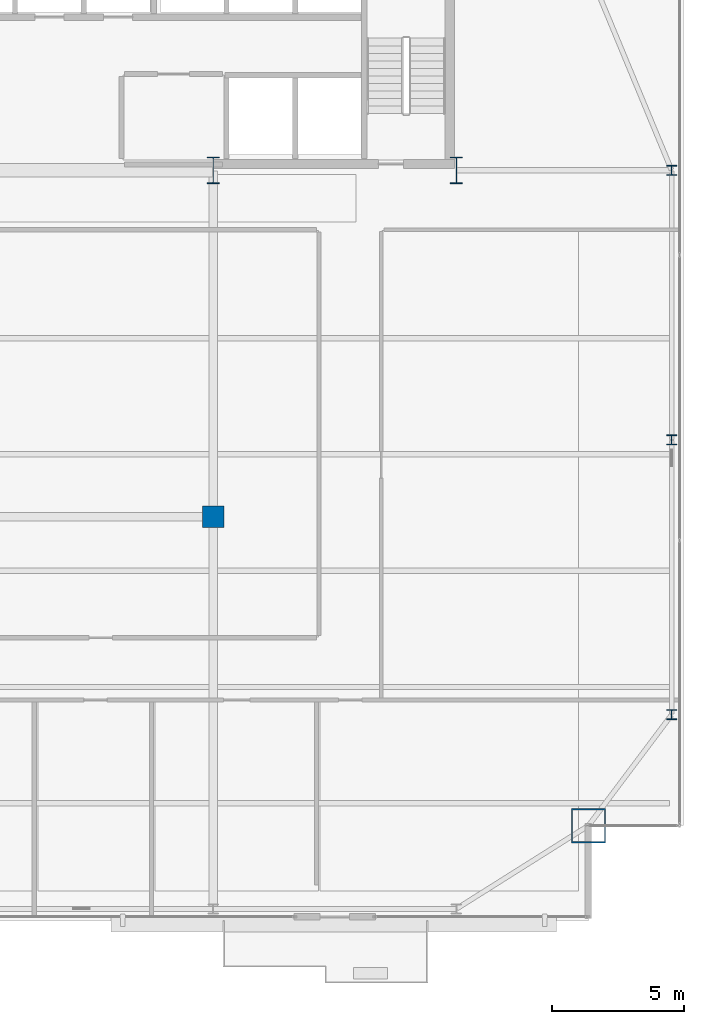
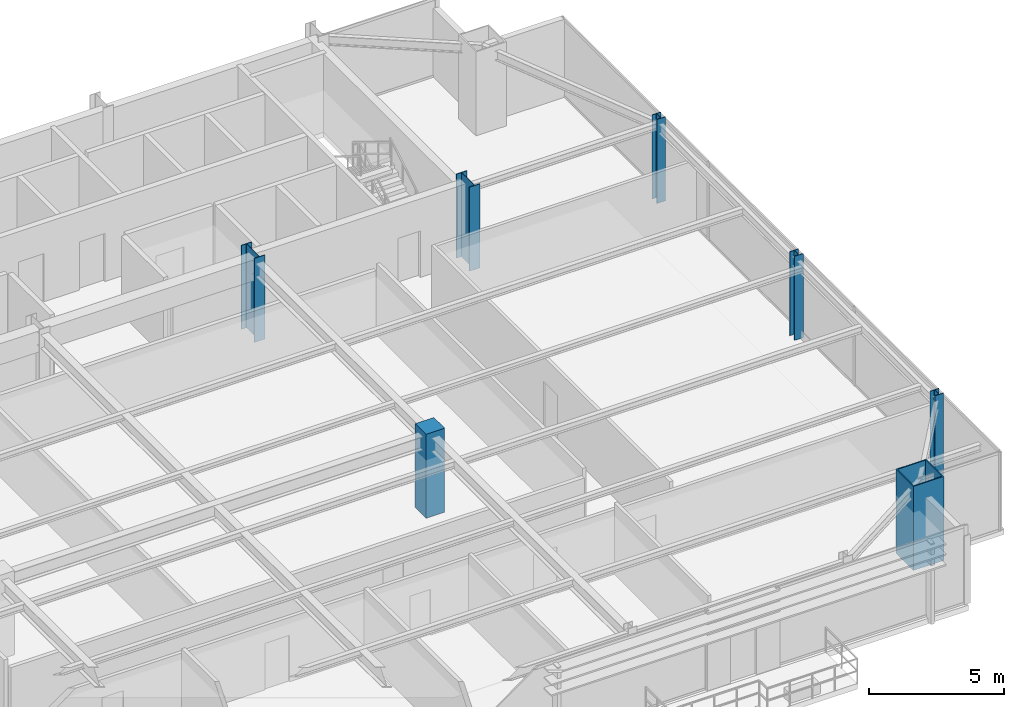
# One storey, part 2 of 30: 7 columns.
"""IFC4 building model written with IfcOpenShell, lengths in metres."""

from ifc_helpers import new_model, si_unit, direction, frame, origin, origin_2d, place, context, subcontext, project, spatial, rectangle, hollow_rectangle, i_section, extrude, source, transform, mapped, material, material_profile, profile_set, type_object, type_shapes, element, save


model = new_model("IFC4")

# Units and contexts
model_context = context("Model", 3, precision=1e-05, world=origin(), true_north=direction((0.0, 1.0)))
body_context = subcontext(model_context, "Body", "Model", "MODEL_VIEW")
ifc_project = project(units=[si_unit("LENGTHUNIT", "METRE"), si_unit("AREAUNIT", "SQUARE_METRE"), si_unit("VOLUMEUNIT", "CUBIC_METRE"), si_unit("PLANEANGLEUNIT", "RADIAN"), si_unit("MASSUNIT", "GRAM", prefix="KILO")], contexts=[model_context])

# Site, building, storey
site_placement = place(None, origin())
site = spatial("IfcSite", under=ifc_project, at=site_placement, CompositionType="ELEMENT")
building_placement = place(site_placement, origin())
building = spatial("IfcBuilding", under=site, at=building_placement, Name="Varnel Quay Broadcast Tower", CompositionType="ELEMENT")
storey_placement = place(building_placement, frame((0.0, 0.0, 168.60009765625)))
storey = spatial("IfcBuildingStorey", under=building, at=storey_placement, Name="L41", CompositionType="ELEMENT", Elevation=168.60009765625)

# Columns
ifc_material_1 = material(Name="Structural Steel CSA G40.21 350WT", Category="steel")
ifc_material_profile_1 = material_profile(ifc_material_1, i_section(OverallWidth=0.449951171875, OverallDepth=1.0, WebThickness=0.01611328125, FlangeThickness=0.030029296875, FilletRadius=0.01611328125, at=origin_2d()), Name="WWF1000X362")
ifc_profile_set_1 = profile_set([ifc_material_profile_1], Name="Structural Steel CSA G40.21 350WT")
column_type_1 = type_object("IfcColumnType", Name="Col_WWF1000X362", PredefinedType="COLUMN", material=ifc_profile_set_1)
shared_shape_1 = source(origin(), body_context, "Body", "SweptSolid", [
    extrude(i_section(OverallWidth=0.449951171875, OverallDepth=1.0, WebThickness=0.01611328125, FlangeThickness=0.030029296875, FilletRadius=0.01611328125, at=origin_2d()), origin(), (0.0, 0.0, 1.0), 3.7998046875),
])
type_shapes(column_type_1, [shared_shape_1])
for number, where, z_axis, x_axis, name in (
    (1, (43.199951171875, 35.60009765625, 0.0), (0.0, 0.0, 1.0), (1.0, 0.0, 0.0), "L41 Column CC-S4"),
    (2, (52.39990234375, 35.60009765625, 0.0), (0.0, 0.0, 1.0), (1.0, 0.0, 0.0), "L41 Column CC-S5"),
):
    element("IfcColumn", number, at=place(storey_placement, frame(where, z_axis=z_axis, x_axis=x_axis)), inside=storey, type_object=column_type_1, Name=name, PredefinedType="COLUMN", context=body_context, shape_type="MappedRepresentation", body=[
        mapped(shared_shape_1, transform((0.0, 0.0, 0.0), x_axis=(1.0, 0.0, 0.0), y_axis=(0.0, 1.0, 0.0), z_axis=(0.0, 0.0, 1.0), scale=1.0)),
    ])
ifc_material_profile_2 = material_profile(ifc_material_1, hollow_rectangle(XDim=1.300048828125, YDim=1.300048828125, WallThickness=0.050048828125, at=origin_2d()), Name="BOX1300X1300X50")
ifc_profile_set_2 = profile_set([ifc_material_profile_2], Name="Structural Steel CSA G40.21 350WT")
column_type_2 = type_object("IfcColumnType", Name="Col_BOX1300X1300X50", PredefinedType="COLUMN", material=ifc_profile_set_2)
shared_shape_2 = source(origin(), body_context, "Body", "SweptSolid", [
    extrude(hollow_rectangle(XDim=1.300048828125, YDim=1.300048828125, WallThickness=0.050048828125, at=origin_2d()), origin(), (0.0, 0.0, 1.0), 3.7998046875),
])
type_shapes(column_type_2, [shared_shape_2])
column_1_placement = place(storey_placement, frame((57.39990234375, 10.800048828125, 0.0), z_axis=(0.0, 0.0, 1.0), x_axis=(1.0, 0.0, 0.0)))
element("IfcColumn", 3, at=column_1_placement, inside=storey, type_object=column_type_2, Name="L41 Column MC-SE", PredefinedType="COLUMN", context=body_context, shape_type="MappedRepresentation", body=[
    mapped(shared_shape_2, transform((0.0, 0.0, 0.0), x_axis=(1.0, 0.0, 0.0), y_axis=(0.0, 1.0, 0.0), z_axis=(0.0, 0.0, 1.0), scale=1.0)),
])
ifc_material_2 = material(Name="Structural Steel CSA G40.21 350W", Category="steel")
ifc_material_profile_3 = material_profile(ifc_material_2, i_section(OverallWidth=0.3740234375, OverallDepth=0.3720703125, WebThickness=0.016357421875, FlangeThickness=0.026123046875, FilletRadius=0.01611328125, at=origin_2d()), Name="W360X196")
ifc_profile_set_3 = profile_set([ifc_material_profile_3], Name="Structural Steel CSA G40.21 350W")
column_type_3 = type_object("IfcColumnType", Name="Col_W360X196", PredefinedType="COLUMN", material=ifc_profile_set_3)
shared_shape_3 = source(origin(), body_context, "Body", "SweptSolid", [
    extrude(i_section(OverallWidth=0.3740234375, OverallDepth=0.3720703125, WebThickness=0.016357421875, FlangeThickness=0.026123046875, FilletRadius=0.01611328125, at=origin_2d()), origin(), (0.0, 0.0, 1.0), 3.7998046875),
])
type_shapes(column_type_3, [shared_shape_3])
for number, where, z_axis, x_axis, name in (
    (4, (60.550048828125, 15.0, 0.0), (0.0, 0.0, 1.0), (1.0, 0.0, 0.0), "L41 Column TC-E1"),
    (5, (60.550048828125, 25.39990234375, 0.0), (0.0, 0.0, 1.0), (1.0, 0.0, 0.0), "L41 Column TC-E2"),
    (6, (60.550048828125, 35.60009765625, 0.0), (0.0, 0.0, 1.0), (1.0, 0.0, 0.0), "L41 Column TC-E3"),
):
    element("IfcColumn", number, at=place(storey_placement, frame(where, z_axis=z_axis, x_axis=x_axis)), inside=storey, type_object=column_type_3, Name=name, PredefinedType="COLUMN", context=body_context, shape_type="MappedRepresentation", body=[
        mapped(shared_shape_3, transform((0.0, 0.0, 0.0), x_axis=(1.0, 0.0, 0.0), y_axis=(0.0, 1.0, 0.0), z_axis=(0.0, 0.0, 1.0), scale=1.0)),
    ])
ifc_material_3 = material(Name="Concrete CSA A23.3 C50/60", Category="concrete")
ifc_material_profile_4 = material_profile(ifc_material_3, rectangle(XDim=0.800048828125, YDim=0.800048828125, at=origin_2d()), Name="RC800X800")
ifc_profile_set_4 = profile_set([ifc_material_profile_4], Name="Concrete CSA A23.3 C50/60")
column_type_4 = type_object("IfcColumnType", Name="Col_RC800X800", PredefinedType="COLUMN", material=ifc_profile_set_4)
shared_shape_4 = source(origin(), body_context, "Body", "SweptSolid", [
    extrude(rectangle(XDim=0.800048828125, YDim=0.800048828125, at=origin_2d()), origin(), (0.0, 0.0, 1.0), 3.7998046875),
])
type_shapes(column_type_4, [shared_shape_4])
column_2_placement = place(storey_placement, frame((43.199951171875, 22.489990234375, 0.0), z_axis=(0.0, 0.0, 1.0), x_axis=(1.0, 0.0, 0.0)))
element("IfcColumn", 7, at=column_2_placement, inside=storey, type_object=column_type_4, Name="L41 Column IC-02", PredefinedType="COLUMN", context=body_context, shape_type="MappedRepresentation", body=[
    mapped(shared_shape_4, transform((0.0, 0.0, 0.0), x_axis=(1.0, 0.0, 0.0), y_axis=(0.0, 1.0, 0.0), z_axis=(0.0, 0.0, 1.0), scale=1.0)),
])

save(model, "model.ifc")
